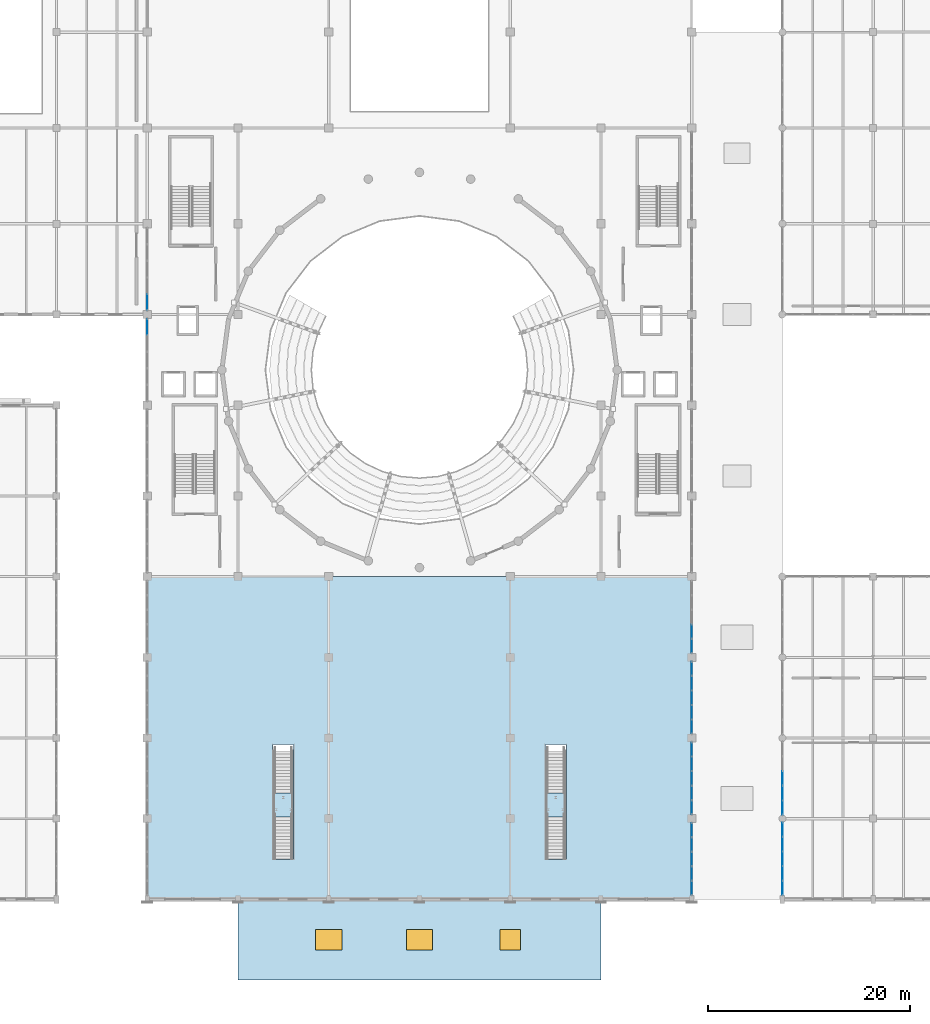
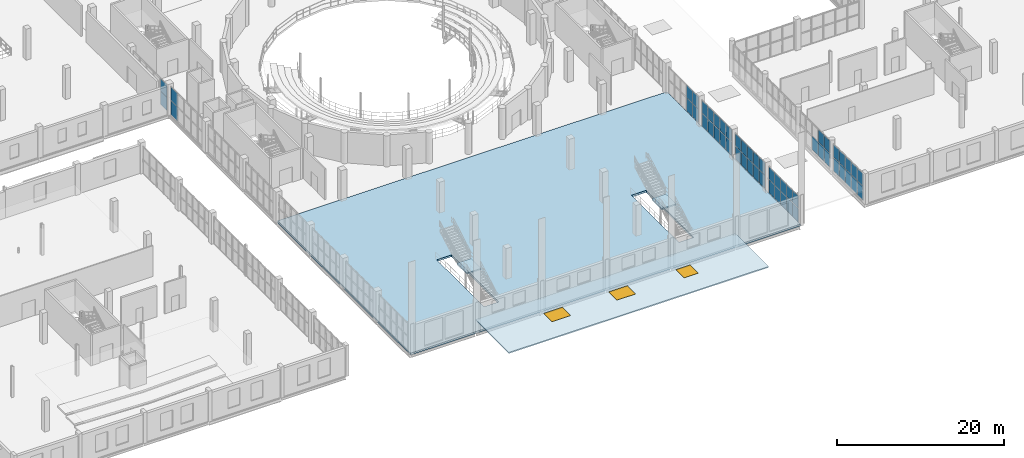
# One storey, part 58 of 93: 53 plates, 4 slabs, 3 windows, 3 openings, 10 elements without a shape of their own.
"""IFC4 building model written with IfcOpenShell, lengths in metres."""

from ifc_helpers import new_model, si_unit, direction, frame, origin, origin_2d, place, context, subcontext, project, spatial, polyline, rectangle, outline, extrude, material, layer, layer_set, type_object, element, fill, aggregate, save


model = new_model("IFC4")

# Units and contexts
model_context = context("Model", 3, precision=1e-05, world=origin(), true_north=direction((0.0, 1.0)))
body_context = subcontext(model_context, "Body", "Model", "MODEL_VIEW")
ifc_project = project(units=[si_unit("LENGTHUNIT", "METRE"), si_unit("AREAUNIT", "SQUARE_METRE"), si_unit("VOLUMEUNIT", "CUBIC_METRE"), si_unit("PLANEANGLEUNIT", "RADIAN"), si_unit("MASSUNIT", "GRAM", prefix="KILO")], contexts=[model_context])

# Site, building, storey
site_placement = place(None, origin())
site = spatial("IfcSite", under=ifc_project, at=site_placement, CompositionType="ELEMENT")
building_placement = place(site_placement, origin())
building = spatial("IfcBuilding", under=site, at=building_placement, Name="Marnock Terrace Opera House", CompositionType="ELEMENT")
storey_placement = place(building_placement, frame((0.0, 0.0, 5.39990234375)))
storey = spatial("IfcBuildingStorey", under=building, at=storey_placement, Name="L01", CompositionType="ELEMENT", Elevation=5.39990234375)

# Curtain wall, plates
ifc_material_1 = material(Name="Anodised architectural bronze aluminium framing", Category="aluminium")
ifc_layer_1 = layer(ifc_material_1, 0.159912109375)
ifc_layer_set_1 = layer_set([ifc_layer_1], Name="Anodised architectural bronze aluminium framing")
curtain_wall_type_1 = type_object("IfcCurtainWallType", Name="CW-FOYER-90x45", PredefinedType="NOTDEFINED", material=ifc_layer_set_1)
curtain_wall_1_placement = place(storey_placement, origin())
curtain_wall_1 = element("IfcCurtainWall", 1, at=curtain_wall_1_placement, inside=storey, type_object=curtain_wall_type_1, Name="L01 glazed Beaux-Arts colonnade curtain wall CW-V1W-L01-07", PredefinedType="NOTDEFINED")
ifc_material_2 = material(Name="Double-glazed acoustic low-E laminated glass", Category="glass")
ifc_layer_2 = layer(ifc_material_2, 0.028076171875)
ifc_layer_set_2 = layer_set([ifc_layer_2], Name="Double-glazed acoustic low-E laminated glass")
plate_type_1 = type_object("IfcPlateType", Name="CWP-GLZ-28", PredefinedType="CURTAIN_PANEL", material=ifc_layer_set_2)
plate_1_placement = place(storey_placement, frame((55.0, 64.768310546875, 0.06005859375), z_axis=(0.0, 0.0, 1.0), x_axis=(0.0, 1.0, 0.0)))
plate_1 = element("IfcPlate", 2, at=plate_1_placement, type_object=plate_type_1, Name="CW-27 panel 5.1", PredefinedType="CURTAIN_PANEL", context=body_context, shape_type="SweptSolid", body=[
    extrude(rectangle(XDim=1.551513671875, YDim=0.028076171875, at=origin_2d()), origin(), (0.0, 0.0, 1.0), 2.0703125),
])
plate_2_placement = place(storey_placement, frame((55.0, 64.768310546875, 2.1904296875), z_axis=(0.0, 0.0, 1.0), x_axis=(0.0, 1.0, 0.0)))
plate_2 = element("IfcPlate", 3, at=plate_2_placement, type_object=plate_type_1, Name="CW-27 panel 5.2", PredefinedType="CURTAIN_PANEL", context=body_context, shape_type="SweptSolid", body=[
    extrude(rectangle(XDim=1.551513671875, YDim=0.028076171875, at=origin_2d()), origin(), (0.0, 0.0, 1.0), 1.904052734375),
])
aggregate(curtain_wall_1, [plate_1, plate_2])

ifc_layer_3 = layer(ifc_material_1, 0.159912109375)
ifc_layer_set_3 = layer_set([ifc_layer_3], Name="Anodised architectural bronze aluminium framing")
curtain_wall_type_2 = type_object("IfcCurtainWallType", Name="CW-FOYER-80x45", PredefinedType="NOTDEFINED", material=ifc_layer_set_3)
curtain_wall_2_placement = place(storey_placement, origin())
curtain_wall_2 = element("IfcCurtainWall", 4, at=curtain_wall_2_placement, inside=storey, type_object=curtain_wall_type_2, Name="L01 glazed Beaux-Arts colonnade curtain wall CW-V1E-L01-01", PredefinedType="NOTDEFINED")
plate_3_placement = place(storey_placement, frame((109.0, 9.1318359375, 0.06005859375), z_axis=(0.0, 0.0, 1.0), x_axis=(0.0, 1.0, 0.0)))
plate_3 = element("IfcPlate", 5, at=plate_3_placement, type_object=plate_type_1, Name="CW-87 panel 1.1", PredefinedType="CURTAIN_PANEL", context=body_context, shape_type="SweptSolid", body=[
    extrude(rectangle(XDim=1.3515625, YDim=0.028076171875, at=origin_2d()), origin(), (0.0, 0.0, 1.0), 1.942138671875),
])
plate_4_placement = place(storey_placement, frame((109.0, 9.1318359375, 2.06201171875), z_axis=(0.0, 0.0, 1.0), x_axis=(0.0, 1.0, 0.0)))
plate_4 = element("IfcPlate", 6, at=plate_4_placement, type_object=plate_type_1, Name="CW-87 panel 1.2", PredefinedType="CURTAIN_PANEL", context=body_context, shape_type="SweptSolid", body=[
    extrude(rectangle(XDim=1.3515625, YDim=0.028076171875, at=origin_2d()), origin(), (0.0, 0.0, 1.0), 1.785888671875),
])
plate_5_placement = place(storey_placement, frame((109.0, 10.558349609375, 0.06005859375), z_axis=(0.0, 0.0, 1.0), x_axis=(0.0, 1.0, 0.0)))
plate_5 = element("IfcPlate", 7, at=plate_5_placement, type_object=plate_type_1, Name="CW-87 panel 2.1", PredefinedType="CURTAIN_PANEL", context=body_context, shape_type="SweptSolid", body=[
    extrude(rectangle(XDim=1.381591796875, YDim=0.028076171875, at=origin_2d()), origin(), (0.0, 0.0, 1.0), 1.942138671875),
])
plate_6_placement = place(storey_placement, frame((109.0, 10.558349609375, 2.06201171875), z_axis=(0.0, 0.0, 1.0), x_axis=(0.0, 1.0, 0.0)))
plate_6 = element("IfcPlate", 8, at=plate_6_placement, type_object=plate_type_1, Name="CW-87 panel 2.2", PredefinedType="CURTAIN_PANEL", context=body_context, shape_type="SweptSolid", body=[
    extrude(rectangle(XDim=1.381591796875, YDim=0.028076171875, at=origin_2d()), origin(), (0.0, 0.0, 1.0), 1.785888671875),
])
plate_7_placement = place(storey_placement, frame((109.0, 12.0, 0.06005859375), z_axis=(0.0, 0.0, 1.0), x_axis=(0.0, 1.0, 0.0)))
plate_7 = element("IfcPlate", 9, at=plate_7_placement, type_object=plate_type_1, Name="CW-87 panel 3.1", PredefinedType="CURTAIN_PANEL", context=body_context, shape_type="SweptSolid", body=[
    extrude(rectangle(XDim=1.381591796875, YDim=0.028076171875, at=origin_2d()), origin(), (0.0, 0.0, 1.0), 1.942138671875),
])
plate_8_placement = place(storey_placement, frame((109.0, 12.0, 2.06201171875), z_axis=(0.0, 0.0, 1.0), x_axis=(0.0, 1.0, 0.0)))
plate_8 = element("IfcPlate", 10, at=plate_8_placement, type_object=plate_type_1, Name="CW-87 panel 3.2", PredefinedType="CURTAIN_PANEL", context=body_context, shape_type="SweptSolid", body=[
    extrude(rectangle(XDim=1.381591796875, YDim=0.028076171875, at=origin_2d()), origin(), (0.0, 0.0, 1.0), 1.785888671875),
])
plate_9_placement = place(storey_placement, frame((109.0, 13.441650390625, 0.06005859375), z_axis=(0.0, 0.0, 1.0), x_axis=(0.0, 1.0, 0.0)))
plate_9 = element("IfcPlate", 11, at=plate_9_placement, type_object=plate_type_1, Name="CW-87 panel 4.1", PredefinedType="CURTAIN_PANEL", context=body_context, shape_type="SweptSolid", body=[
    extrude(rectangle(XDim=1.381591796875, YDim=0.028076171875, at=origin_2d()), origin(), (0.0, 0.0, 1.0), 1.942138671875),
])
plate_10_placement = place(storey_placement, frame((109.0, 13.441650390625, 2.06201171875), z_axis=(0.0, 0.0, 1.0), x_axis=(0.0, 1.0, 0.0)))
plate_10 = element("IfcPlate", 12, at=plate_10_placement, type_object=plate_type_1, Name="CW-87 panel 4.2", PredefinedType="CURTAIN_PANEL", context=body_context, shape_type="SweptSolid", body=[
    extrude(rectangle(XDim=1.381591796875, YDim=0.028076171875, at=origin_2d()), origin(), (0.0, 0.0, 1.0), 1.785888671875),
])
plate_11_placement = place(storey_placement, frame((109.0, 14.8681640625, 0.06005859375), z_axis=(0.0, 0.0, 1.0), x_axis=(0.0, 1.0, 0.0)))
plate_11 = element("IfcPlate", 13, at=plate_11_placement, type_object=plate_type_1, Name="CW-87 panel 5.1", PredefinedType="CURTAIN_PANEL", context=body_context, shape_type="SweptSolid", body=[
    extrude(rectangle(XDim=1.3515625, YDim=0.028076171875, at=origin_2d()), origin(), (0.0, 0.0, 1.0), 1.942138671875),
])
plate_12_placement = place(storey_placement, frame((109.0, 14.8681640625, 2.06201171875), z_axis=(0.0, 0.0, 1.0), x_axis=(0.0, 1.0, 0.0)))
plate_12 = element("IfcPlate", 14, at=plate_12_placement, type_object=plate_type_1, Name="CW-87 panel 5.2", PredefinedType="CURTAIN_PANEL", context=body_context, shape_type="SweptSolid", body=[
    extrude(rectangle(XDim=1.3515625, YDim=0.028076171875, at=origin_2d()), origin(), (0.0, 0.0, 1.0), 1.785888671875),
])
aggregate(curtain_wall_2, [plate_3, plate_4, plate_5, plate_6, plate_7, plate_8, plate_9, plate_10, plate_11, plate_12])

curtain_wall_3_placement = place(storey_placement, origin())
curtain_wall_3 = element("IfcCurtainWall", 15, at=curtain_wall_3_placement, inside=storey, type_object=curtain_wall_type_2, Name="L01 glazed Beaux-Arts colonnade curtain wall CW-V1E-L01-02", PredefinedType="NOTDEFINED")
plate_13_placement = place(storey_placement, frame((109.0, 17.1318359375, 0.06005859375), z_axis=(0.0, 0.0, 1.0), x_axis=(0.0, 1.0, 0.0)))
plate_13 = element("IfcPlate", 16, at=plate_13_placement, type_object=plate_type_1, Name="CW-87 panel 1.1", PredefinedType="CURTAIN_PANEL", context=body_context, shape_type="SweptSolid", body=[
    extrude(rectangle(XDim=1.3515625, YDim=0.028076171875, at=origin_2d()), origin(), (0.0, 0.0, 1.0), 1.942138671875),
])
plate_14_placement = place(storey_placement, frame((109.0, 17.1318359375, 2.06201171875), z_axis=(0.0, 0.0, 1.0), x_axis=(0.0, 1.0, 0.0)))
plate_14 = element("IfcPlate", 17, at=plate_14_placement, type_object=plate_type_1, Name="CW-87 panel 1.2", PredefinedType="CURTAIN_PANEL", context=body_context, shape_type="SweptSolid", body=[
    extrude(rectangle(XDim=1.3515625, YDim=0.028076171875, at=origin_2d()), origin(), (0.0, 0.0, 1.0), 1.785888671875),
])
plate_15_placement = place(storey_placement, frame((109.0, 18.558349609375, 0.06005859375), z_axis=(0.0, 0.0, 1.0), x_axis=(0.0, 1.0, 0.0)))
plate_15 = element("IfcPlate", 18, at=plate_15_placement, type_object=plate_type_1, Name="CW-87 panel 2.1", PredefinedType="CURTAIN_PANEL", context=body_context, shape_type="SweptSolid", body=[
    extrude(rectangle(XDim=1.381591796875, YDim=0.028076171875, at=origin_2d()), origin(), (0.0, 0.0, 1.0), 1.942138671875),
])
plate_16_placement = place(storey_placement, frame((109.0, 18.558349609375, 2.06201171875), z_axis=(0.0, 0.0, 1.0), x_axis=(0.0, 1.0, 0.0)))
plate_16 = element("IfcPlate", 19, at=plate_16_placement, type_object=plate_type_1, Name="CW-87 panel 2.2", PredefinedType="CURTAIN_PANEL", context=body_context, shape_type="SweptSolid", body=[
    extrude(rectangle(XDim=1.381591796875, YDim=0.028076171875, at=origin_2d()), origin(), (0.0, 0.0, 1.0), 1.785888671875),
])
plate_17_placement = place(storey_placement, frame((109.0, 20.0, 0.06005859375), z_axis=(0.0, 0.0, 1.0), x_axis=(0.0, 1.0, 0.0)))
plate_17 = element("IfcPlate", 20, at=plate_17_placement, type_object=plate_type_1, Name="CW-87 panel 3.1", PredefinedType="CURTAIN_PANEL", context=body_context, shape_type="SweptSolid", body=[
    extrude(rectangle(XDim=1.381591796875, YDim=0.028076171875, at=origin_2d()), origin(), (0.0, 0.0, 1.0), 1.942138671875),
])
plate_18_placement = place(storey_placement, frame((109.0, 20.0, 2.06201171875), z_axis=(0.0, 0.0, 1.0), x_axis=(0.0, 1.0, 0.0)))
plate_18 = element("IfcPlate", 21, at=plate_18_placement, type_object=plate_type_1, Name="CW-87 panel 3.2", PredefinedType="CURTAIN_PANEL", context=body_context, shape_type="SweptSolid", body=[
    extrude(rectangle(XDim=1.381591796875, YDim=0.028076171875, at=origin_2d()), origin(), (0.0, 0.0, 1.0), 1.785888671875),
])
plate_19_placement = place(storey_placement, frame((109.0, 21.441650390625, 0.06005859375), z_axis=(0.0, 0.0, 1.0), x_axis=(0.0, 1.0, 0.0)))
plate_19 = element("IfcPlate", 22, at=plate_19_placement, type_object=plate_type_1, Name="CW-87 panel 4.1", PredefinedType="CURTAIN_PANEL", context=body_context, shape_type="SweptSolid", body=[
    extrude(rectangle(XDim=1.381591796875, YDim=0.028076171875, at=origin_2d()), origin(), (0.0, 0.0, 1.0), 1.942138671875),
])
plate_20_placement = place(storey_placement, frame((109.0, 21.441650390625, 2.06201171875), z_axis=(0.0, 0.0, 1.0), x_axis=(0.0, 1.0, 0.0)))
plate_20 = element("IfcPlate", 23, at=plate_20_placement, type_object=plate_type_1, Name="CW-87 panel 4.2", PredefinedType="CURTAIN_PANEL", context=body_context, shape_type="SweptSolid", body=[
    extrude(rectangle(XDim=1.381591796875, YDim=0.028076171875, at=origin_2d()), origin(), (0.0, 0.0, 1.0), 1.785888671875),
])
plate_21_placement = place(storey_placement, frame((109.0, 22.8681640625, 0.06005859375), z_axis=(0.0, 0.0, 1.0), x_axis=(0.0, 1.0, 0.0)))
plate_21 = element("IfcPlate", 24, at=plate_21_placement, type_object=plate_type_1, Name="CW-87 panel 5.1", PredefinedType="CURTAIN_PANEL", context=body_context, shape_type="SweptSolid", body=[
    extrude(rectangle(XDim=1.3515625, YDim=0.028076171875, at=origin_2d()), origin(), (0.0, 0.0, 1.0), 1.942138671875),
])
plate_22_placement = place(storey_placement, frame((109.0, 22.8681640625, 2.06201171875), z_axis=(0.0, 0.0, 1.0), x_axis=(0.0, 1.0, 0.0)))
plate_22 = element("IfcPlate", 25, at=plate_22_placement, type_object=plate_type_1, Name="CW-87 panel 5.2", PredefinedType="CURTAIN_PANEL", context=body_context, shape_type="SweptSolid", body=[
    extrude(rectangle(XDim=1.3515625, YDim=0.028076171875, at=origin_2d()), origin(), (0.0, 0.0, 1.0), 1.785888671875),
])
aggregate(curtain_wall_3, [plate_13, plate_14, plate_15, plate_16, plate_17, plate_18, plate_19, plate_20, plate_21, plate_22])

curtain_wall_4_placement = place(storey_placement, origin())
curtain_wall_4 = element("IfcCurtainWall", 26, at=curtain_wall_4_placement, inside=storey, type_object=curtain_wall_type_2, Name="L01 glazed Beaux-Arts colonnade curtain wall CW-V1E-L01-03", PredefinedType="NOTDEFINED")
plate_23_placement = place(storey_placement, frame((109.0, 25.1318359375, 0.06005859375), z_axis=(0.0, 0.0, 1.0), x_axis=(0.0, 1.0, 0.0)))
plate_23 = element("IfcPlate", 27, at=plate_23_placement, type_object=plate_type_1, Name="CW-87 panel 1.1", PredefinedType="CURTAIN_PANEL", context=body_context, shape_type="SweptSolid", body=[
    extrude(rectangle(XDim=1.3515625, YDim=0.028076171875, at=origin_2d()), origin(), (0.0, 0.0, 1.0), 1.942138671875),
])
plate_24_placement = place(storey_placement, frame((109.0, 25.1318359375, 2.06201171875), z_axis=(0.0, 0.0, 1.0), x_axis=(0.0, 1.0, 0.0)))
plate_24 = element("IfcPlate", 28, at=plate_24_placement, type_object=plate_type_1, Name="CW-87 panel 1.2", PredefinedType="CURTAIN_PANEL", context=body_context, shape_type="SweptSolid", body=[
    extrude(rectangle(XDim=1.3515625, YDim=0.028076171875, at=origin_2d()), origin(), (0.0, 0.0, 1.0), 1.785888671875),
])
plate_25_placement = place(storey_placement, frame((109.0, 26.558349609375, 0.06005859375), z_axis=(0.0, 0.0, 1.0), x_axis=(0.0, 1.0, 0.0)))
plate_25 = element("IfcPlate", 29, at=plate_25_placement, type_object=plate_type_1, Name="CW-87 panel 2.1", PredefinedType="CURTAIN_PANEL", context=body_context, shape_type="SweptSolid", body=[
    extrude(rectangle(XDim=1.381591796875, YDim=0.028076171875, at=origin_2d()), origin(), (0.0, 0.0, 1.0), 1.942138671875),
])
plate_26_placement = place(storey_placement, frame((109.0, 26.558349609375, 2.06201171875), z_axis=(0.0, 0.0, 1.0), x_axis=(0.0, 1.0, 0.0)))
plate_26 = element("IfcPlate", 30, at=plate_26_placement, type_object=plate_type_1, Name="CW-87 panel 2.2", PredefinedType="CURTAIN_PANEL", context=body_context, shape_type="SweptSolid", body=[
    extrude(rectangle(XDim=1.381591796875, YDim=0.028076171875, at=origin_2d()), origin(), (0.0, 0.0, 1.0), 1.785888671875),
])
plate_27_placement = place(storey_placement, frame((109.0, 28.0, 0.06005859375), z_axis=(0.0, 0.0, 1.0), x_axis=(0.0, 1.0, 0.0)))
plate_27 = element("IfcPlate", 31, at=plate_27_placement, type_object=plate_type_1, Name="CW-87 panel 3.1", PredefinedType="CURTAIN_PANEL", context=body_context, shape_type="SweptSolid", body=[
    extrude(rectangle(XDim=1.381591796875, YDim=0.028076171875, at=origin_2d()), origin(), (0.0, 0.0, 1.0), 1.942138671875),
])
plate_28_placement = place(storey_placement, frame((109.0, 28.0, 2.06201171875), z_axis=(0.0, 0.0, 1.0), x_axis=(0.0, 1.0, 0.0)))
plate_28 = element("IfcPlate", 32, at=plate_28_placement, type_object=plate_type_1, Name="CW-87 panel 3.2", PredefinedType="CURTAIN_PANEL", context=body_context, shape_type="SweptSolid", body=[
    extrude(rectangle(XDim=1.381591796875, YDim=0.028076171875, at=origin_2d()), origin(), (0.0, 0.0, 1.0), 1.785888671875),
])
plate_29_placement = place(storey_placement, frame((109.0, 29.441650390625, 0.06005859375), z_axis=(0.0, 0.0, 1.0), x_axis=(0.0, 1.0, 0.0)))
plate_29 = element("IfcPlate", 33, at=plate_29_placement, type_object=plate_type_1, Name="CW-87 panel 4.1", PredefinedType="CURTAIN_PANEL", context=body_context, shape_type="SweptSolid", body=[
    extrude(rectangle(XDim=1.381591796875, YDim=0.028076171875, at=origin_2d()), origin(), (0.0, 0.0, 1.0), 1.942138671875),
])
plate_30_placement = place(storey_placement, frame((109.0, 29.441650390625, 2.06201171875), z_axis=(0.0, 0.0, 1.0), x_axis=(0.0, 1.0, 0.0)))
plate_30 = element("IfcPlate", 34, at=plate_30_placement, type_object=plate_type_1, Name="CW-87 panel 4.2", PredefinedType="CURTAIN_PANEL", context=body_context, shape_type="SweptSolid", body=[
    extrude(rectangle(XDim=1.381591796875, YDim=0.028076171875, at=origin_2d()), origin(), (0.0, 0.0, 1.0), 1.785888671875),
])
plate_31_placement = place(storey_placement, frame((109.0, 30.8681640625, 0.06005859375), z_axis=(0.0, 0.0, 1.0), x_axis=(0.0, 1.0, 0.0)))
plate_31 = element("IfcPlate", 35, at=plate_31_placement, type_object=plate_type_1, Name="CW-87 panel 5.1", PredefinedType="CURTAIN_PANEL", context=body_context, shape_type="SweptSolid", body=[
    extrude(rectangle(XDim=1.3515625, YDim=0.028076171875, at=origin_2d()), origin(), (0.0, 0.0, 1.0), 1.942138671875),
])
plate_32_placement = place(storey_placement, frame((109.0, 30.8681640625, 2.06201171875), z_axis=(0.0, 0.0, 1.0), x_axis=(0.0, 1.0, 0.0)))
plate_32 = element("IfcPlate", 36, at=plate_32_placement, type_object=plate_type_1, Name="CW-87 panel 5.2", PredefinedType="CURTAIN_PANEL", context=body_context, shape_type="SweptSolid", body=[
    extrude(rectangle(XDim=1.3515625, YDim=0.028076171875, at=origin_2d()), origin(), (0.0, 0.0, 1.0), 1.785888671875),
])
aggregate(curtain_wall_4, [plate_23, plate_24, plate_25, plate_26, plate_27, plate_28, plate_29, plate_30, plate_31, plate_32])

curtain_wall_5_placement = place(storey_placement, origin())
curtain_wall_5 = element("IfcCurtainWall", 37, at=curtain_wall_5_placement, inside=storey, type_object=curtain_wall_type_2, Name="L01 glazed Beaux-Arts colonnade curtain wall CW-V1E-L01-04", PredefinedType="NOTDEFINED")
plate_33_placement = place(storey_placement, frame((109.0, 33.1318359375, 0.06005859375), z_axis=(0.0, 0.0, 1.0), x_axis=(0.0, 1.0, 0.0)))
plate_33 = element("IfcPlate", 38, at=plate_33_placement, type_object=plate_type_1, Name="CW-87 panel 1.1", PredefinedType="CURTAIN_PANEL", context=body_context, shape_type="SweptSolid", body=[
    extrude(rectangle(XDim=1.3515625, YDim=0.028076171875, at=origin_2d()), origin(), (0.0, 0.0, 1.0), 1.942138671875),
])
plate_34_placement = place(storey_placement, frame((109.0, 33.1318359375, 2.06201171875), z_axis=(0.0, 0.0, 1.0), x_axis=(0.0, 1.0, 0.0)))
plate_34 = element("IfcPlate", 39, at=plate_34_placement, type_object=plate_type_1, Name="CW-87 panel 1.2", PredefinedType="CURTAIN_PANEL", context=body_context, shape_type="SweptSolid", body=[
    extrude(rectangle(XDim=1.3515625, YDim=0.028076171875, at=origin_2d()), origin(), (0.0, 0.0, 1.0), 1.785888671875),
])
plate_35_placement = place(storey_placement, frame((109.0, 34.558349609375, 0.06005859375), z_axis=(0.0, 0.0, 1.0), x_axis=(0.0, 1.0, 0.0)))
plate_35 = element("IfcPlate", 40, at=plate_35_placement, type_object=plate_type_1, Name="CW-87 panel 2.1", PredefinedType="CURTAIN_PANEL", context=body_context, shape_type="SweptSolid", body=[
    extrude(rectangle(XDim=1.381591796875, YDim=0.028076171875, at=origin_2d()), origin(), (0.0, 0.0, 1.0), 1.942138671875),
])
plate_36_placement = place(storey_placement, frame((109.0, 34.558349609375, 2.06201171875), z_axis=(0.0, 0.0, 1.0), x_axis=(0.0, 1.0, 0.0)))
plate_36 = element("IfcPlate", 41, at=plate_36_placement, type_object=plate_type_1, Name="CW-87 panel 2.2", PredefinedType="CURTAIN_PANEL", context=body_context, shape_type="SweptSolid", body=[
    extrude(rectangle(XDim=1.381591796875, YDim=0.028076171875, at=origin_2d()), origin(), (0.0, 0.0, 1.0), 1.785888671875),
])
aggregate(curtain_wall_5, [plate_33, plate_34, plate_35, plate_36])

ifc_layer_4 = layer(ifc_material_1, 0.159912109375)
ifc_layer_set_4 = layer_set([ifc_layer_4], Name="Anodised architectural bronze aluminium framing")
curtain_wall_type_3 = type_object("IfcCurtainWallType", Name="CW-LOGGIA-86x45", PredefinedType="NOTDEFINED", material=ifc_layer_set_4)
curtain_wall_6_placement = place(storey_placement, origin())
curtain_wall_6 = element("IfcCurtainWall", 42, at=curtain_wall_6_placement, inside=storey, type_object=curtain_wall_type_3, Name="L01 glazed Beaux-Arts colonnade curtain wall CW-V5-L01-W1", PredefinedType="NOTDEFINED")
plate_37_placement = place(storey_placement, frame((118.0, 9.13671875, 0.06005859375), z_axis=(0.0, 0.0, 1.0), x_axis=(0.0, 1.0, 0.0)))
plate_37 = element("IfcPlate", 43, at=plate_37_placement, type_object=plate_type_1, Name="CW-61 panel 1.1", PredefinedType="CURTAIN_PANEL", context=body_context, shape_type="SweptSolid", body=[
    extrude(rectangle(XDim=1.361572265625, YDim=0.028076171875, at=origin_2d()), origin(), (0.0, 0.0, 1.0), 1.980712890625),
])
plate_38_placement = place(storey_placement, frame((118.0, 9.13671875, 2.100830078125), z_axis=(0.0, 0.0, 1.0), x_axis=(0.0, 1.0, 0.0)))
plate_38 = element("IfcPlate", 44, at=plate_38_placement, type_object=plate_type_1, Name="CW-61 panel 1.2", PredefinedType="CURTAIN_PANEL", context=body_context, shape_type="SweptSolid", body=[
    extrude(rectangle(XDim=1.361572265625, YDim=0.028076171875, at=origin_2d()), origin(), (0.0, 0.0, 1.0), 1.8212890625),
])
plate_39_placement = place(storey_placement, frame((118.0, 10.573486328125, 0.06005859375), z_axis=(0.0, 0.0, 1.0), x_axis=(0.0, 1.0, 0.0)))
plate_39 = element("IfcPlate", 45, at=plate_39_placement, type_object=plate_type_1, Name="CW-61 panel 2.1", PredefinedType="CURTAIN_PANEL", context=body_context, shape_type="SweptSolid", body=[
    extrude(rectangle(XDim=1.3916015625, YDim=0.028076171875, at=origin_2d()), origin(), (0.0, 0.0, 1.0), 1.980712890625),
])
plate_40_placement = place(storey_placement, frame((118.0, 10.573486328125, 2.100830078125), z_axis=(0.0, 0.0, 1.0), x_axis=(0.0, 1.0, 0.0)))
plate_40 = element("IfcPlate", 46, at=plate_40_placement, type_object=plate_type_1, Name="CW-61 panel 2.2", PredefinedType="CURTAIN_PANEL", context=body_context, shape_type="SweptSolid", body=[
    extrude(rectangle(XDim=1.3916015625, YDim=0.028076171875, at=origin_2d()), origin(), (0.0, 0.0, 1.0), 1.8212890625),
])
plate_41_placement = place(storey_placement, frame((118.0, 12.02490234375, 0.06005859375), z_axis=(0.0, 0.0, 1.0), x_axis=(0.0, 1.0, 0.0)))
plate_41 = element("IfcPlate", 47, at=plate_41_placement, type_object=plate_type_1, Name="CW-61 panel 3.1", PredefinedType="CURTAIN_PANEL", context=body_context, shape_type="SweptSolid", body=[
    extrude(rectangle(XDim=1.3916015625, YDim=0.028076171875, at=origin_2d()), origin(), (0.0, 0.0, 1.0), 1.980712890625),
])
plate_42_placement = place(storey_placement, frame((118.0, 12.02490234375, 2.100830078125), z_axis=(0.0, 0.0, 1.0), x_axis=(0.0, 1.0, 0.0)))
plate_42 = element("IfcPlate", 48, at=plate_42_placement, type_object=plate_type_1, Name="CW-61 panel 3.2", PredefinedType="CURTAIN_PANEL", context=body_context, shape_type="SweptSolid", body=[
    extrude(rectangle(XDim=1.3916015625, YDim=0.028076171875, at=origin_2d()), origin(), (0.0, 0.0, 1.0), 1.8212890625),
])
plate_43_placement = place(storey_placement, frame((118.0, 13.4765625, 0.06005859375), z_axis=(0.0, 0.0, 1.0), x_axis=(0.0, 1.0, 0.0)))
plate_43 = element("IfcPlate", 49, at=plate_43_placement, type_object=plate_type_1, Name="CW-61 panel 4.1", PredefinedType="CURTAIN_PANEL", context=body_context, shape_type="SweptSolid", body=[
    extrude(rectangle(XDim=1.3916015625, YDim=0.028076171875, at=origin_2d()), origin(), (0.0, 0.0, 1.0), 1.980712890625),
])
plate_44_placement = place(storey_placement, frame((118.0, 13.4765625, 2.100830078125), z_axis=(0.0, 0.0, 1.0), x_axis=(0.0, 1.0, 0.0)))
plate_44 = element("IfcPlate", 50, at=plate_44_placement, type_object=plate_type_1, Name="CW-61 panel 4.2", PredefinedType="CURTAIN_PANEL", context=body_context, shape_type="SweptSolid", body=[
    extrude(rectangle(XDim=1.3916015625, YDim=0.028076171875, at=origin_2d()), origin(), (0.0, 0.0, 1.0), 1.8212890625),
])
plate_45_placement = place(storey_placement, frame((118.0, 14.9130859375, 0.06005859375), z_axis=(0.0, 0.0, 1.0), x_axis=(0.0, 1.0, 0.0)))
plate_45 = element("IfcPlate", 51, at=plate_45_placement, type_object=plate_type_1, Name="CW-61 panel 5.1", PredefinedType="CURTAIN_PANEL", context=body_context, shape_type="SweptSolid", body=[
    extrude(rectangle(XDim=1.361572265625, YDim=0.028076171875, at=origin_2d()), origin(), (0.0, 0.0, 1.0), 1.980712890625),
])
plate_46_placement = place(storey_placement, frame((118.0, 14.9130859375, 2.100830078125), z_axis=(0.0, 0.0, 1.0), x_axis=(0.0, 1.0, 0.0)))
plate_46 = element("IfcPlate", 52, at=plate_46_placement, type_object=plate_type_1, Name="CW-61 panel 5.2", PredefinedType="CURTAIN_PANEL", context=body_context, shape_type="SweptSolid", body=[
    extrude(rectangle(XDim=1.361572265625, YDim=0.028076171875, at=origin_2d()), origin(), (0.0, 0.0, 1.0), 1.8212890625),
])
aggregate(curtain_wall_6, [plate_37, plate_38, plate_39, plate_40, plate_41, plate_42, plate_43, plate_44, plate_45, plate_46])

curtain_wall_7_placement = place(storey_placement, origin())
curtain_wall_7 = element("IfcCurtainWall", 53, at=curtain_wall_7_placement, inside=storey, type_object=curtain_wall_type_3, Name="L01 glazed Beaux-Arts colonnade curtain wall CW-V5-L01-W2", PredefinedType="NOTDEFINED")
plate_47_placement = place(storey_placement, frame((118.0, 17.091796875, 0.06005859375), z_axis=(0.0, 0.0, 1.0), x_axis=(0.0, 1.0, 0.0)))
plate_47 = element("IfcPlate", 54, at=plate_47_placement, type_object=plate_type_1, Name="CW-61 panel 1.1", PredefinedType="CURTAIN_PANEL", context=body_context, shape_type="SweptSolid", body=[
    extrude(rectangle(XDim=1.37158203125, YDim=0.028076171875, at=origin_2d()), origin(), (0.0, 0.0, 1.0), 1.980712890625),
])
plate_48_placement = place(storey_placement, frame((118.0, 17.091796875, 2.100830078125), z_axis=(0.0, 0.0, 1.0), x_axis=(0.0, 1.0, 0.0)))
plate_48 = element("IfcPlate", 55, at=plate_48_placement, type_object=plate_type_1, Name="CW-61 panel 1.2", PredefinedType="CURTAIN_PANEL", context=body_context, shape_type="SweptSolid", body=[
    extrude(rectangle(XDim=1.37158203125, YDim=0.028076171875, at=origin_2d()), origin(), (0.0, 0.0, 1.0), 1.8212890625),
])
plate_49_placement = place(storey_placement, frame((118.0, 18.538330078125, 0.06005859375), z_axis=(0.0, 0.0, 1.0), x_axis=(0.0, 1.0, 0.0)))
plate_49 = element("IfcPlate", 56, at=plate_49_placement, type_object=plate_type_1, Name="CW-61 panel 2.1", PredefinedType="CURTAIN_PANEL", context=body_context, shape_type="SweptSolid", body=[
    extrude(rectangle(XDim=1.401611328125, YDim=0.028076171875, at=origin_2d()), origin(), (0.0, 0.0, 1.0), 1.980712890625),
])
plate_50_placement = place(storey_placement, frame((118.0, 18.538330078125, 2.100830078125), z_axis=(0.0, 0.0, 1.0), x_axis=(0.0, 1.0, 0.0)))
plate_50 = element("IfcPlate", 57, at=plate_50_placement, type_object=plate_type_1, Name="CW-61 panel 2.2", PredefinedType="CURTAIN_PANEL", context=body_context, shape_type="SweptSolid", body=[
    extrude(rectangle(XDim=1.401611328125, YDim=0.028076171875, at=origin_2d()), origin(), (0.0, 0.0, 1.0), 1.8212890625),
])
plate_51_placement = place(storey_placement, frame((118.0, 20.0, 0.06005859375), z_axis=(0.0, 0.0, 1.0), x_axis=(0.0, 1.0, 0.0)))
plate_51 = element("IfcPlate", 58, at=plate_51_placement, type_object=plate_type_1, Name="CW-61 panel 3.1", PredefinedType="CURTAIN_PANEL", context=body_context, shape_type="SweptSolid", body=[
    extrude(rectangle(XDim=1.401611328125, YDim=0.028076171875, at=origin_2d()), origin(), (0.0, 0.0, 1.0), 1.980712890625),
])
aggregate(curtain_wall_7, [plate_47, plate_48, plate_49, plate_50, plate_51])

curtain_wall_8_placement = place(storey_placement, origin())
curtain_wall_8 = element("IfcCurtainWall", 59, at=curtain_wall_8_placement, inside=storey, type_object=curtain_wall_type_1, Name="L01 glazed Beaux-Arts colonnade curtain wall CW-V1W-L01-08", PredefinedType="NOTDEFINED")
ifc_layer_5 = layer(ifc_material_1, 0.035888671875)
ifc_layer_set_5 = layer_set([ifc_layer_5], Name="Anodised architectural bronze aluminium framing")
plate_type_2 = type_object("IfcPlateType", Name="CWP-SPAND-36", PredefinedType="CURTAIN_PANEL", material=ifc_layer_set_5)
plate_52_placement = place(storey_placement, frame((55.0, 67.231689453125, 0.06005859375), z_axis=(0.0, 0.0, 1.0), x_axis=(0.0, 1.0, 0.0)))
plate_52 = element("IfcPlate", 60, at=plate_52_placement, type_object=plate_type_2, Name="CW-27 panel 1.1", PredefinedType="CURTAIN_PANEL", context=body_context, shape_type="SweptSolid", body=[
    extrude(rectangle(XDim=1.551513671875, YDim=0.028076171875, at=origin_2d()), origin(), (0.0, 0.0, 1.0), 1.942138671875),
])
plate_53_placement = place(storey_placement, frame((55.0, 67.231689453125, 2.06201171875), z_axis=(0.0, 0.0, 1.0), x_axis=(0.0, 1.0, 0.0)))
plate_53 = element("IfcPlate", 61, at=plate_53_placement, type_object=plate_type_2, Name="CW-27 panel 1.2", PredefinedType="CURTAIN_PANEL", context=body_context, shape_type="SweptSolid", body=[
    extrude(rectangle(XDim=1.551513671875, YDim=0.028076171875, at=origin_2d()), origin(), (0.0, 0.0, 1.0), 1.785888671875),
])
aggregate(curtain_wall_8, [plate_52, plate_53])

# Slab, openings, windows
ifc_material_3 = material(Name="Steel Grade 350 (AS/NZS 3679.1)", Category="steel")
ifc_layer_6 = layer(ifc_material_3, 0.159912109375)
ifc_layer_set_6 = layer_set([ifc_layer_6], Name="Steel Grade 350 (AS/NZS 3679.1)")
slab_type_1 = type_object("IfcSlabType", Name="SL-CANOPY-160", PredefinedType="ROOF", material=ifc_layer_set_6)
slab_1_placement = place(storey_placement, frame((0.0, 0.0, 1.64013671875)))
slab_1 = element("IfcSlab", 62, at=slab_1_placement, inside=storey, type_object=slab_type_1, Name="L01 structural roof slab SL-ROOF-CANOPY", PredefinedType="ROOF", context=body_context, shape_type="SweptSolid", body=[
    extrude(outline(polyline([(64.0, 0.0), (100.0, 0.0), (100.0, 8.0), (64.0, 8.0), (64.0, 0.0)])), origin(), (0.0, 0.0, 1.0), 0.159912109375),
])
opening_1_placement = place(slab_1_placement, frame((73.0, 4.0, 0.0)))
opening_1 = element("IfcOpeningElement", 63, at=opening_1_placement, cuts=slab_1, Name="Opening WT-54", PredefinedType="OPENING", context=body_context, shape_type="SweptSolid", body=[
    extrude(rectangle(XDim=2.60009765625, YDim=2.0, at=origin_2d()), frame((0.0, 0.0, -0.010009765625)), (0.0, 0.0, 1.0), 0.179931640625),
])
opening_2_placement = place(slab_1_placement, frame((82.0, 4.0, 0.0)))
opening_2 = element("IfcOpeningElement", 64, at=opening_2_placement, cuts=slab_1, Name="Opening WT-54", PredefinedType="OPENING", context=body_context, shape_type="SweptSolid", body=[
    extrude(rectangle(XDim=2.60009765625, YDim=2.0, at=origin_2d()), frame((0.0, 0.0, -0.010009765625)), (0.0, 0.0, 1.0), 0.179931640625),
])
opening_3_placement = place(slab_1_placement, frame((91.0, 4.0, 0.0)))
opening_3 = element("IfcOpeningElement", 65, at=opening_3_placement, cuts=slab_1, Name="Opening WT-116", PredefinedType="OPENING", context=body_context, shape_type="SweptSolid", body=[
    extrude(rectangle(XDim=2.0, YDim=2.0, at=origin_2d()), frame((0.0, 0.0, -0.010009765625)), (0.0, 0.0, 1.0), 0.179931640625),
])
window_type_1 = type_object("IfcWindowType", Name="WT-SKY-2000", PartitioningType="SINGLE_PANEL", PredefinedType="SKYLIGHT", material=ifc_material_2)
window_1_placement = place(opening_3_placement, frame((0.0, 0.0, 0.10986328125)))
window_1 = element("IfcWindow", 66, at=window_1_placement, inside=storey, type_object=window_type_1, Name="Roof skylight SKY-CAN-03", OverallHeight=2.0, OverallWidth=2.0, PartitioningType="SINGLE_PANEL", PredefinedType="SKYLIGHT", context=body_context, shape_type="SweptSolid", body=[
    extrude(rectangle(XDim=2.0, YDim=2.0, at=origin_2d()), origin(), (0.0, 0.0, 1.0), 0.050048828125),
])
fill(opening_3, window_1)
window_type_2 = type_object("IfcWindowType", Name="WT-SKY-2600", PartitioningType="SINGLE_PANEL", PredefinedType="SKYLIGHT", material=ifc_material_2)
window_2_placement = place(opening_1_placement, frame((0.0, 0.0, 0.10986328125)))
window_2 = element("IfcWindow", 67, at=window_2_placement, inside=storey, type_object=window_type_2, Name="Roof skylight SKY-CAN-01", OverallHeight=2.0, OverallWidth=2.60009765625, PartitioningType="SINGLE_PANEL", PredefinedType="SKYLIGHT", context=body_context, shape_type="SweptSolid", body=[
    extrude(rectangle(XDim=2.60009765625, YDim=2.0, at=origin_2d()), origin(), (0.0, 0.0, 1.0), 0.050048828125),
])
fill(opening_1, window_2)
window_3_placement = place(opening_2_placement, frame((0.0, 0.0, 0.10986328125)))
window_3 = element("IfcWindow", 68, at=window_3_placement, inside=storey, type_object=window_type_2, Name="Roof skylight SKY-CAN-02", OverallHeight=2.0, OverallWidth=2.60009765625, PartitioningType="SINGLE_PANEL", PredefinedType="SKYLIGHT", context=body_context, shape_type="SweptSolid", body=[
    extrude(rectangle(XDim=2.60009765625, YDim=2.0, at=origin_2d()), origin(), (0.0, 0.0, 1.0), 0.050048828125),
])
fill(opening_2, window_3)

# Slab
ifc_material_4 = material(Name="Concrete N40 (f'c = 40 MPa)", Category="concrete")
ifc_layer_7 = layer(ifc_material_4, 0.280029296875)
ifc_layer_set_7 = layer_set([ifc_layer_7], Name="Concrete N40 (f'c = 40 MPa)")
slab_type_2 = type_object("IfcSlabType", Name="SL-FLR-280", PredefinedType="FLOOR", material=ifc_layer_set_7)
slab_2_placement = place(storey_placement, frame((0.0, 0.0, -0.27978515625)))
element("IfcSlab", 69, at=slab_2_placement, inside=storey, type_object=slab_type_2, Name="L01 Grand Hall structural floor slab", PredefinedType="FLOOR", context=body_context, shape_type="SweptSolid", body=[
    extrude(outline(polyline([(55.0, 8.0), (109.0, 8.0), (109.0, 40.0), (55.0, 40.0), (55.0, 8.0)]), holes=[polyline([(67.47998046875, 12.0), (69.52001953125, 12.0), (69.52001953125, 23.360107421875), (67.47998046875, 23.360107421875), (67.47998046875, 12.0)]), polyline([(94.47998046875, 12.0), (96.52001953125, 12.0), (96.52001953125, 23.360107421875), (94.47998046875, 23.360107421875), (94.47998046875, 12.0)])]), origin(), (0.0, 0.0, 1.0), 0.27978515625),
])

# Stair, slab
stair_type = type_object("IfcStairType", Name="ST-GRAND-3200", PredefinedType="STRAIGHT_RUN_STAIR", material=ifc_material_4)
stair_1_placement = place(storey_placement, origin())
stair_1 = element("IfcStair", 70, at=stair_1_placement, inside=storey, type_object=stair_type, Name="L01 Grand Stair ceremonial stair ST-09", PredefinedType="STRAIGHT_RUN_STAIR")
ifc_material_5 = material(Name="Concrete N32 (f'c = 32 MPa)", Category="concrete")
ifc_layer_8 = layer(ifc_material_5, 0.199951171875)
ifc_layer_set_8 = layer_set([ifc_layer_8], Name="Concrete N32 (f'c = 32 MPa)")
slab_type_3 = type_object("IfcSlabType", Name="SL-LAND-200", PredefinedType="LANDING", material=ifc_layer_set_8)
slab_3_placement = place(storey_placement, frame((0.0, 0.0, 2.2001953125)))
slab_3 = element("IfcSlab", 71, at=slab_3_placement, type_object=slab_type_3, Name="ST-09 landing 1", PredefinedType="LANDING", context=body_context, shape_type="SweptSolid", body=[
    extrude(outline(polyline([(67.52001953125, 16.159912109375), (69.47998046875, 16.159912109375), (69.47998046875, 18.56005859375), (67.52001953125, 18.56005859375), (67.52001953125, 16.159912109375)])), origin(), (0.0, 0.0, 1.0), 0.199951171875),
])
aggregate(stair_1, [slab_3])

stair_2_placement = place(storey_placement, origin())
stair_2 = element("IfcStair", 72, at=stair_2_placement, inside=storey, type_object=stair_type, Name="L01 Grand Stair ceremonial stair ST-10", PredefinedType="STRAIGHT_RUN_STAIR")
slab_4_placement = place(storey_placement, frame((0.0, 0.0, 2.2001953125)))
slab_4 = element("IfcSlab", 73, at=slab_4_placement, type_object=slab_type_3, Name="ST-10 landing 1", PredefinedType="LANDING", context=body_context, shape_type="SweptSolid", body=[
    extrude(outline(polyline([(94.52001953125, 16.159912109375), (96.47998046875, 16.159912109375), (96.47998046875, 18.56005859375), (94.52001953125, 18.56005859375), (94.52001953125, 16.159912109375)])), origin(), (0.0, 0.0, 1.0), 0.199951171875),
])
aggregate(stair_2, [slab_4])

save(model, "model.ifc")
